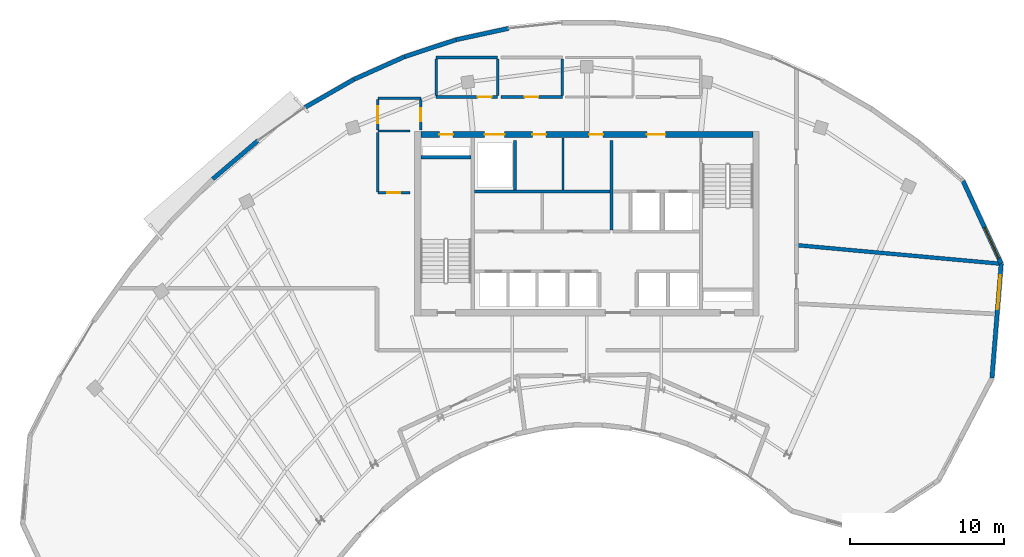
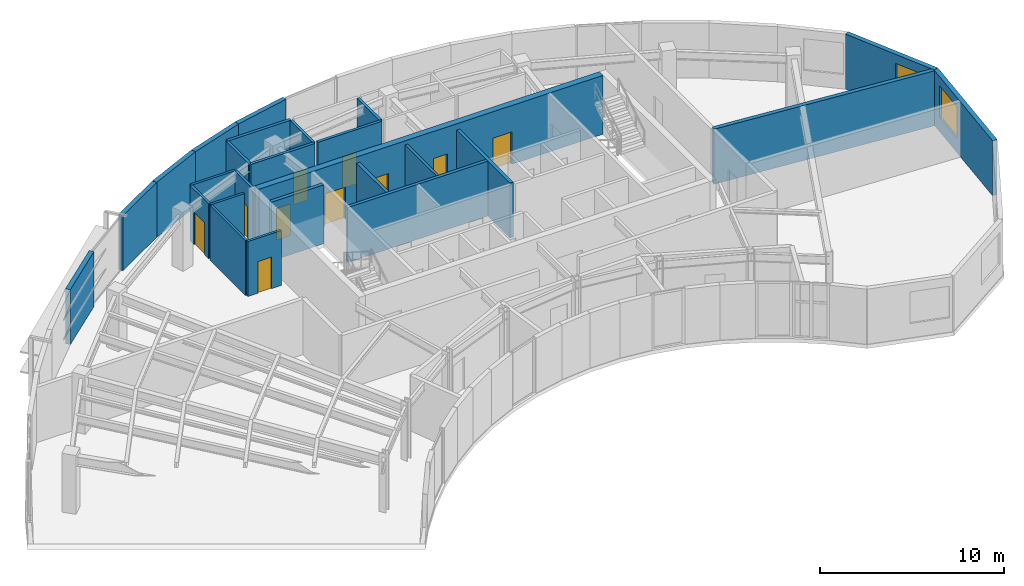
# One storey, part 10 of 12: 26 walls, 10 doors, 2 windows, 12 openings.
"""IFC4 building model written with IfcOpenShell, lengths in metres."""

from ifc_helpers import new_model, si_unit, direction, frame, frame_2d, origin, place, context, subcontext, project, spatial, rectangle, extrude, source, transform, mapped, material, layer, layer_set, type_object, type_shapes, element, fill, save


model = new_model("IFC4")

# Units and contexts
model_context = context("Model", 3, precision=1e-05, world=origin(), true_north=direction((0.0, 1.0)))
body_context = subcontext(model_context, "Body", "Model", "MODEL_VIEW")
ifc_project = project(units=[si_unit("LENGTHUNIT", "METRE"), si_unit("AREAUNIT", "SQUARE_METRE"), si_unit("VOLUMEUNIT", "CUBIC_METRE"), si_unit("PLANEANGLEUNIT", "RADIAN"), si_unit("MASSUNIT", "GRAM", prefix="KILO")], contexts=[model_context])

# Site, building, storey
site_placement = place(None, origin())
site = spatial("IfcSite", under=ifc_project, at=site_placement, CompositionType="ELEMENT")
building_placement = place(site_placement, origin())
building = spatial("IfcBuilding", under=site, at=building_placement, Name="Breltana Convention Tower", CompositionType="ELEMENT")
storey_placement = place(building_placement, frame((0.0, 0.0, 267.89990234375)))
storey = spatial("IfcBuildingStorey", under=building, at=storey_placement, Name="L65", CompositionType="ELEMENT", Elevation=267.89990234375)

# Wall
ifc_material_1 = material(Name="Concrete C50/60", Category="concrete")
ifc_layer_1 = layer(ifc_material_1, 0.39990234375, Name="Concrete C50/60")
ifc_layer_set_1 = layer_set([ifc_layer_1], Name="Concrete C50/60")
wall_type_1 = type_object("IfcWallType", Name="SW-CORE-400", PredefinedType="SHEAR", material=ifc_layer_set_1)
shared_shape_1 = source(origin(), body_context, "Body", "SweptSolid", [
    extrude(rectangle(XDim=3.27001953125, YDim=0.219970703125, at=frame_2d((1.635009765625, 0.0))), origin(), (0.0, 0.0, 1.0), 3.900146484375),
])
wall_1_placement = place(storey_placement, frame((37.199951171875, 70.510009765625, 0.0), z_axis=(0.0, 0.0, 1.0), x_axis=(1.0, 0.0, 0.0)))
element("IfcWall", 1, at=wall_1_placement, inside=storey, type_object=wall_type_1, Name="L65 ST-1 Stairwell North Bearing Wall", PredefinedType="SHEAR", context=body_context, shape_type="MappedRepresentation", body=[
    mapped(shared_shape_1, transform((0.0, 0.0, 0.0), scale=1.0)),
])

# Wall, openings, doors
shared_shape_2 = source(origin(), body_context, "Body", "SweptSolid", [
    extrude(rectangle(XDim=21.60009765625, YDim=0.39990234375, at=frame_2d((10.800048828125, 0.0))), origin(), (0.0, 0.0, 1.0), 3.900146484375),
])
wall_2_placement = place(storey_placement, frame((37.199951171875, 72.0, 0.0), z_axis=(0.0, 0.0, 1.0), x_axis=(1.0, 0.0, 0.0)))
wall_2 = element("IfcWall", 2, at=wall_2_placement, inside=storey, type_object=wall_type_1, Name="L65 North Core Shear Wall", PredefinedType="SHEAR", context=body_context, shape_type="MappedRepresentation", body=[
    mapped(shared_shape_2, transform((0.0, 0.0, 0.0), scale=1.0)),
])
opening_1_placement = place(wall_2_placement, frame((1.199951171875, 0.0, 0.0)))
opening_1 = element("IfcOpeningElement", 3, at=opening_1_placement, cuts=wall_2, Name="Opening D-18", PredefinedType="OPENING", context=body_context, shape_type="SweptSolid", body=[
    extrude(rectangle(XDim=0.89990234375, YDim=2.10009765625, at=frame_2d((0.449951171875, 1.050048828125))), frame((0.0, 0.2099609375, 0.0), z_axis=(0.0, -1.0, 0.0), x_axis=(1.0, 0.0, 0.0)), (0.0, 0.0, 1.0), 0.419921875),
])
opening_2_placement = place(wall_2_placement, frame((14.699951171875, 0.0, 0.0)))
opening_2 = element("IfcOpeningElement", 4, at=opening_2_placement, cuts=wall_2, Name="Opening D-09", PredefinedType="OPENING", context=body_context, shape_type="SweptSolid", body=[
    extrude(rectangle(XDim=1.199951171875, YDim=2.14990234375, at=frame_2d((0.60009765625, 1.074951171875))), frame((0.0, 0.2099609375, 0.0), z_axis=(0.0, -1.0, 0.0), x_axis=(1.0, 0.0, 0.0)), (0.0, 0.0, 1.0), 0.419921875),
])
opening_3_placement = place(wall_2_placement, frame((4.14990234375, 0.0, 0.0)))
opening_3 = element("IfcOpeningElement", 5, at=opening_3_placement, cuts=wall_2, Name="Opening LD-01", PredefinedType="OPENING", context=body_context, shape_type="SweptSolid", body=[
    extrude(rectangle(XDim=1.300048828125, YDim=2.14990234375, at=frame_2d((0.64990234375, 1.074951171875))), frame((0.0, 0.2099609375, 0.0), z_axis=(0.0, -1.0, 0.0), x_axis=(1.0, 0.0, 0.0)), (0.0, 0.0, 1.0), 0.419921875),
])
opening_4_placement = place(wall_2_placement, frame((7.25, 0.0, 0.0)))
opening_4 = element("IfcOpeningElement", 6, at=opening_4_placement, cuts=wall_2, Name="Opening D-18", PredefinedType="OPENING", context=body_context, shape_type="SweptSolid", body=[
    extrude(rectangle(XDim=0.89990234375, YDim=2.10009765625, at=frame_2d((0.449951171875, 1.050048828125))), frame((0.0, 0.2099609375, 0.0), z_axis=(0.0, -1.0, 0.0), x_axis=(1.0, 0.0, 0.0)), (0.0, 0.0, 1.0), 0.419921875),
])
opening_5_placement = place(wall_2_placement, frame((10.949951171875, 0.0, 0.0)))
opening_5 = element("IfcOpeningElement", 7, at=opening_5_placement, cuts=wall_2, Name="Opening D-18", PredefinedType="OPENING", context=body_context, shape_type="SweptSolid", body=[
    extrude(rectangle(XDim=0.89990234375, YDim=2.10009765625, at=frame_2d((0.449951171875, 1.050048828125))), frame((0.0, 0.2099609375, 0.0), z_axis=(0.0, -1.0, 0.0), x_axis=(1.0, 0.0, 0.0)), (0.0, 0.0, 1.0), 0.419921875),
])
ifc_material_2 = material(Name="Steel Riser Fire Door", Category="steel")
door_type_1 = type_object("IfcDoorType", Name="DR-FD60-900", OperationType="NOTDEFINED", PredefinedType="DOOR", material=ifc_material_2)
shared_shape_3 = source(origin(), body_context, "Body", "SweptSolid", [
    extrude(rectangle(XDim=0.89990234375, YDim=2.10009765625, at=frame_2d((0.449951171875, 1.050048828125))), frame((0.0, 0.02490234375, 0.0), z_axis=(0.0, -1.0, 0.0), x_axis=(1.0, 0.0, 0.0)), (0.0, 0.0, 1.0), 0.050048828125),
])
type_shapes(door_type_1, [shared_shape_3])
door_1_placement = place(opening_1_placement, origin())
door_1 = element("IfcDoor", 8, at=door_1_placement, inside=storey, type_object=door_type_1, Name="L65 Core Riser Access Door D-L65-RS1", OperationType="SINGLE_SWING_LEFT", OverallHeight=2.10009765625, OverallWidth=0.89990234375, PredefinedType="DOOR", context=body_context, shape_type="MappedRepresentation", body=[
    mapped(shared_shape_3, transform((0.0, 0.0, 0.0), scale=1.0)),
])
fill(opening_1, door_1)
door_2_placement = place(opening_4_placement, origin())
door_2 = element("IfcDoor", 9, at=door_2_placement, inside=storey, type_object=door_type_1, Name="L65 interior door D-L65-CRA1", OperationType="SINGLE_SWING_LEFT", OverallHeight=2.10009765625, OverallWidth=0.89990234375, PredefinedType="DOOR", context=body_context, shape_type="MappedRepresentation", body=[
    mapped(shared_shape_3, transform((0.0, 0.0, 0.0), scale=1.0)),
])
fill(opening_4, door_2)
door_3_placement = place(opening_5_placement, origin())
door_3 = element("IfcDoor", 10, at=door_3_placement, inside=storey, type_object=door_type_1, Name="L65 interior door D-L65-CRA2", OperationType="SINGLE_SWING_RIGHT", OverallHeight=2.10009765625, OverallWidth=0.89990234375, PredefinedType="DOOR", context=body_context, shape_type="MappedRepresentation", body=[
    mapped(shared_shape_3, transform((0.0, 0.0, 0.0), scale=1.0)),
])
fill(opening_5, door_3)
ifc_material_3 = material(Name="Steel Fire Lobby Door", Category="steel")
door_type_2 = type_object("IfcDoorType", Name="DR-FD120-1200", OperationType="NOTDEFINED", PredefinedType="DOOR", material=ifc_material_3)
shared_shape_4 = source(origin(), body_context, "Body", "SweptSolid", [
    extrude(rectangle(XDim=1.199951171875, YDim=2.14990234375, at=frame_2d((0.60009765625, 1.074951171875))), frame((0.0, 0.02490234375, 0.0), z_axis=(0.0, -1.0, 0.0), x_axis=(1.0, 0.0, 0.0)), (0.0, 0.0, 1.0), 0.050048828125),
])
type_shapes(door_type_2, [shared_shape_4])
door_4_placement = place(opening_2_placement, origin())
door_4 = element("IfcDoor", 11, at=door_4_placement, inside=storey, type_object=door_type_2, Name="L65 interior door D-L65-FFL-N", OperationType="SINGLE_SWING_RIGHT", OverallHeight=2.14990234375, OverallWidth=1.199951171875, PredefinedType="DOOR", context=body_context, shape_type="MappedRepresentation", body=[
    mapped(shared_shape_4, transform((0.0, 0.0, 0.0), scale=1.0)),
])
fill(opening_2, door_4)
ifc_material_4 = material(Name="Stainless Steel Brushed", Category="steel")
door_type_3 = type_object("IfcDoorType", Name="DR-LD-SRV-1300", OperationType="DOUBLE_DOOR_SLIDING", PredefinedType="DOOR", material=ifc_material_4)
shared_shape_5 = source(origin(), body_context, "Body", "SweptSolid", [
    extrude(rectangle(XDim=1.300048828125, YDim=2.14990234375, at=frame_2d((0.64990234375, 1.074951171875))), frame((0.0, 0.02490234375, 0.0), z_axis=(0.0, -1.0, 0.0), x_axis=(1.0, 0.0, 0.0)), (0.0, 0.0, 1.0), 0.050048828125),
])
type_shapes(door_type_3, [shared_shape_5])
door_5_placement = place(opening_3_placement, origin())
door_5 = element("IfcDoor", 12, at=door_5_placement, inside=storey, type_object=door_type_3, Name="L65 Lift Landing Door D-L65-LD-SV1", OperationType="DOUBLE_DOOR_SLIDING", OverallHeight=2.14990234375, OverallWidth=1.300048828125, PredefinedType="DOOR", context=body_context, shape_type="MappedRepresentation", body=[
    mapped(shared_shape_5, transform((0.0, 0.0, 0.0), scale=1.0)),
])
fill(opening_3, door_5)

# Wall, opening, window
ifc_material_5 = material(Name="Limestone Buff Insulated Wall", Category="masonry")
ifc_layer_2 = layer(ifc_material_5, 0.280029296875, Name="Limestone Buff Insulated Wall")
ifc_layer_set_2 = layer_set([ifc_layer_2], Name="Limestone Buff Insulated Wall")
wall_type_2 = type_object("IfcWallType", Name="WL-EXT-NOSE-280", PredefinedType="SOLIDWALL", material=ifc_layer_set_2)
shared_shape_6 = source(origin(), body_context, "Body", "SweptSolid", [
    extrude(rectangle(XDim=5.927978515625, YDim=0.280029296875, at=frame_2d((2.9638671875, 0.0))), origin(), (0.0, 0.0, 1.0), 3.650146484375),
])
wall_3_placement = place(storey_placement, frame((72.45947265625, 68.978759765625, 0.0), z_axis=(0.0, 0.0, 1.0), x_axis=(0.41942378221, -0.907790554543, 0.0)))
wall_3 = element("IfcWall", 13, at=wall_3_placement, inside=storey, type_object=wall_type_2, Name="L65 curved limestone nose wall E1", PredefinedType="SOLIDWALL", context=body_context, shape_type="MappedRepresentation", body=[
    mapped(shared_shape_6, transform((0.0, 0.0, 0.0), scale=1.0)),
])
opening_6_placement = place(wall_3_placement, frame((3.345947265625, 0.0, 0.949951171875)))
opening_6 = element("IfcOpeningElement", 14, at=opening_6_placement, cuts=wall_3, Name="Opening W-03", PredefinedType="OPENING", context=body_context, shape_type="SweptSolid", body=[
    extrude(rectangle(XDim=2.199951171875, YDim=2.10009765625, at=frame_2d((1.10009765625, 1.050048828125))), frame((0.0, 0.14990234375, 0.0), z_axis=(0.0, -1.0, 0.0), x_axis=(1.0, 0.0, 0.0)), (0.0, 0.0, 1.0), 0.300048828125),
])
ifc_material_6 = material(Name="Glass Low-E Insulated Window", Category="glass")
window_type = type_object("IfcWindowType", Name="WN-NOSE-2200X2100", PartitioningType="TRIPLE_PANEL_VERTICAL", PredefinedType="WINDOW", material=ifc_material_6)
shared_shape_7 = source(origin(), body_context, "Body", "SweptSolid", [
    extrude(rectangle(XDim=2.199951171875, YDim=2.10009765625, at=frame_2d((1.10009765625, 1.050048828125))), frame((0.0, 0.030029296875, 0.0), z_axis=(0.0, -1.0, 0.0), x_axis=(1.0, 0.0, 0.0)), (0.0, 0.0, 1.0), 0.06005859375),
])
type_shapes(window_type, [shared_shape_7])
window_1_placement = place(opening_6_placement, origin())
window_1 = element("IfcWindow", 15, at=window_1_placement, inside=storey, type_object=window_type, Name="L65 nose window E1", OverallHeight=2.10009765625, OverallWidth=2.199951171875, PartitioningType="TRIPLE_PANEL_VERTICAL", PredefinedType="WINDOW", context=body_context, shape_type="MappedRepresentation", body=[
    mapped(shared_shape_7, transform((0.0, 0.0, 0.0), scale=1.0)),
])
fill(opening_6, window_1)

shared_shape_8 = source(origin(), body_context, "Body", "SweptSolid", [
    extrude(rectangle(XDim=7.4658203125, YDim=0.280029296875, at=frame_2d((3.73291015625, 0.0))), origin(), (0.0, 0.0, 1.0), 3.650146484375),
])
wall_4_placement = place(storey_placement, frame((74.94580078125, 63.597412109375, 0.0), z_axis=(0.0, 0.0, 1.0), x_axis=(-0.080804454221, -0.996729973553, 0.0)))
wall_4 = element("IfcWall", 16, at=wall_4_placement, inside=storey, type_object=wall_type_2, Name="L65 curved limestone nose wall E2", PredefinedType="SOLIDWALL", context=body_context, shape_type="MappedRepresentation", body=[
    mapped(shared_shape_8, transform((0.0, 0.0, 0.0), scale=1.0)),
])
opening_7_placement = place(wall_4_placement, frame((0.7666015625, 0.0, 0.949951171875)))
opening_7 = element("IfcOpeningElement", 17, at=opening_7_placement, cuts=wall_4, Name="Opening W-03", PredefinedType="OPENING", context=body_context, shape_type="SweptSolid", body=[
    extrude(rectangle(XDim=2.199951171875, YDim=2.10009765625, at=frame_2d((1.10009765625, 1.050048828125))), frame((0.0, 0.14990234375, 0.0), z_axis=(0.0, -1.0, 0.0), x_axis=(1.0, 0.0, 0.0)), (0.0, 0.0, 1.0), 0.300048828125),
])
window_2_placement = place(opening_7_placement, origin())
window_2 = element("IfcWindow", 18, at=window_2_placement, inside=storey, type_object=window_type, Name="L65 nose window E2", OverallHeight=2.10009765625, OverallWidth=2.199951171875, PartitioningType="TRIPLE_PANEL_VERTICAL", PredefinedType="WINDOW", context=body_context, shape_type="MappedRepresentation", body=[
    mapped(shared_shape_7, transform((0.0, 0.0, 0.0), scale=1.0)),
])
fill(opening_7, window_2)

# Walls
shared_shape_9 = source(origin(), body_context, "Body", "SweptSolid", [
    extrude(rectangle(XDim=3.842529296875, YDim=0.280029296875, at=frame_2d((1.92138671875, 0.0))), origin(), (0.0, 0.0, 1.0), 3.650146484375),
])
wall_5_placement = place(storey_placement, frame((23.669677734375, 69.101318359375, 0.0), z_axis=(0.0, 0.0, 1.0), x_axis=(0.761508028279, 0.648155477387, 0.0)))
element("IfcWall", 19, at=wall_5_placement, inside=storey, type_object=wall_type_2, Name="L65 curved limestone nose wall E23", PredefinedType="SOLIDWALL", context=body_context, shape_type="MappedRepresentation", body=[
    mapped(shared_shape_9, transform((0.0, 0.0, 0.0), scale=1.0)),
])
shared_shape_10 = source(origin(), body_context, "Body", "SweptSolid", [
    extrude(rectangle(XDim=3.6708984375, YDim=0.280029296875, at=frame_2d((1.83544921875, 0.0))), origin(), (0.0, 0.0, 1.0), 3.650146484375),
])
wall_6_placement = place(storey_placement, frame((29.66162109375, 73.755615234375, 0.0), z_axis=(0.0, 0.0, 1.0), x_axis=(0.867931917784, 0.496683184829, 0.0)))
element("IfcWall", 20, at=wall_6_placement, inside=storey, type_object=wall_type_2, Name="L65 curved limestone nose wall E24", PredefinedType="SOLIDWALL", context=body_context, shape_type="MappedRepresentation", body=[
    mapped(shared_shape_10, transform((0.0, 0.0, 0.0), scale=1.0)),
])
shared_shape_11 = source(origin(), body_context, "Body", "SweptSolid", [
    extrude(rectangle(XDim=3.598876953125, YDim=0.280029296875, at=frame_2d((1.79931640625, 0.0))), origin(), (0.0, 0.0, 1.0), 3.650146484375),
])
wall_7_placement = place(storey_placement, frame((32.84765625, 75.578857421875, 0.0), z_axis=(0.0, 0.0, 1.0), x_axis=(0.912714407797, 0.40859810303, 0.0)))
element("IfcWall", 21, at=wall_7_placement, inside=storey, type_object=wall_type_2, Name="L65 curved limestone nose wall E25", PredefinedType="SOLIDWALL", context=body_context, shape_type="MappedRepresentation", body=[
    mapped(shared_shape_11, transform((0.0, 0.0, 0.0), scale=1.0)),
])
shared_shape_12 = source(origin(), body_context, "Body", "SweptSolid", [
    extrude(rectangle(XDim=3.540283203125, YDim=0.280029296875, at=frame_2d((1.77001953125, 0.0))), origin(), (0.0, 0.0, 1.0), 3.650146484375),
])
wall_8_placement = place(storey_placement, frame((36.13232421875, 77.04931640625, 0.0), z_axis=(0.0, 0.0, 1.0), x_axis=(0.949678507031, 0.313226329165, 0.0)))
element("IfcWall", 22, at=wall_8_placement, inside=storey, type_object=wall_type_2, Name="L65 curved limestone nose wall E26", PredefinedType="SOLIDWALL", context=body_context, shape_type="MappedRepresentation", body=[
    mapped(shared_shape_12, transform((0.0, 0.0, 0.0), scale=1.0)),
])
shared_shape_13 = source(origin(), body_context, "Body", "SweptSolid", [
    extrude(rectangle(XDim=3.49658203125, YDim=0.280029296875, at=frame_2d((1.748291015625, 0.0))), origin(), (0.0, 0.0, 1.0), 3.650146484375),
])
wall_9_placement = place(storey_placement, frame((39.494384765625, 78.158203125, 0.0), z_axis=(0.0, 0.0, 1.0), x_axis=(0.977379460136, 0.211493240802, 0.0)))
element("IfcWall", 23, at=wall_9_placement, inside=storey, type_object=wall_type_2, Name="L65 curved limestone nose wall E27", PredefinedType="SOLIDWALL", context=body_context, shape_type="MappedRepresentation", body=[
    mapped(shared_shape_13, transform((0.0, 0.0, 0.0), scale=1.0)),
])
ifc_material_7 = material(Name="Autoclaved Aerated Concrete Block", Category="concrete")
ifc_layer_3 = layer(ifc_material_7, 0.199951171875, Name="Autoclaved Aerated Concrete Block")
ifc_layer_set_3 = layer_set([ifc_layer_3], Name="Autoclaved Aerated Concrete Block")
wall_type_3 = type_object("IfcWallType", Name="WL-SHAFT-200", PredefinedType="SOLIDWALL", material=ifc_layer_set_3)
shared_shape_14 = source(origin(), body_context, "Body", "SweptSolid", [
    extrude(rectangle(XDim=5.800048828125, YDim=0.199951171875, at=frame_2d((2.89990234375, 0.0))), origin(), (0.0, 0.0, 1.0), 3.650146484375),
])
wall_10_placement = place(storey_placement, frame((49.60009765625, 65.800048828125, 0.0), z_axis=(0.0, 0.0, 1.0), x_axis=(0.0, 1.0, 0.0)))
element("IfcWall", 24, at=wall_10_placement, inside=storey, type_object=wall_type_3, Name="L65 interior partition W-L65-FFL-W", PredefinedType="SOLIDWALL", context=body_context, shape_type="MappedRepresentation", body=[
    mapped(shared_shape_14, transform((0.0, 0.0, 0.0), scale=1.0)),
])
shared_shape_15 = source(origin(), body_context, "Body", "SweptSolid", [
    extrude(rectangle(XDim=3.2001953125, YDim=0.199951171875, at=frame_2d((1.60009765625, 0.0))), origin(), (0.0, 0.0, 1.0), 3.650146484375),
])
wall_11_placement = place(storey_placement, frame((43.320068359375, 68.39990234375, 0.0), z_axis=(0.0, 0.0, 1.0), x_axis=(0.0, 1.0, 0.0)))
element("IfcWall", 25, at=wall_11_placement, inside=storey, type_object=wall_type_3, Name="L65 interior partition W-L65-SV-E", PredefinedType="SOLIDWALL", context=body_context, shape_type="MappedRepresentation", body=[
    mapped(shared_shape_15, transform((0.0, 0.0, 0.0), scale=1.0)),
])
shared_shape_16 = source(origin(), body_context, "Body", "SweptSolid", [
    extrude(rectangle(XDim=8.800048828125, YDim=0.199951171875, at=frame_2d((4.39990234375, 0.0))), origin(), (0.0, 0.0, 1.0), 3.650146484375),
])
wall_12_placement = place(storey_placement, frame((40.699951171875, 68.300048828125, 0.0), z_axis=(0.0, 0.0, 1.0), x_axis=(1.0, 0.0, 0.0)))
element("IfcWall", 26, at=wall_12_placement, inside=storey, type_object=wall_type_3, Name="L65 interior partition W-L65-SV-S", PredefinedType="SOLIDWALL", context=body_context, shape_type="MappedRepresentation", body=[
    mapped(shared_shape_16, transform((0.0, 0.0, 0.0), scale=1.0)),
])
ifc_material_8 = material(Name="Gypsum Acoustic Drywall Partition")
ifc_layer_4 = layer(ifc_material_8, 0.14990234375, Name="Gypsum Acoustic Drywall Partition")
ifc_layer_set_4 = layer_set([ifc_layer_4], Name="Gypsum Acoustic Drywall Partition")
wall_type_4 = type_object("IfcWallType", Name="WL-PART-150", PredefinedType="PARTITIONING", material=ifc_layer_set_4)
shared_shape_17 = source(origin(), body_context, "Body", "SweptSolid", [
    extrude(rectangle(XDim=2.10009765625, YDim=0.14990234375, at=frame_2d((1.050048828125, 0.0))), origin(), (0.0, 0.0, 1.0), 3.650146484375),
])
wall_13_placement = place(storey_placement, frame((34.39990234375, 72.219970703125, 0.0), z_axis=(0.0, 0.0, 1.0), x_axis=(1.0, 0.0, 0.0)))
element("IfcWall", 27, at=wall_13_placement, inside=storey, type_object=wall_type_4, Name="L65 interior partition W-L65-CRNW-S", PredefinedType="PARTITIONING", context=body_context, shape_type="MappedRepresentation", body=[
    mapped(shared_shape_17, transform((0.0, 0.0, 0.0), scale=1.0)),
])

# Wall, opening, door
wall_14_placement = place(storey_placement, frame((34.39990234375, 68.199951171875, 0.0), z_axis=(0.0, 0.0, 1.0), x_axis=(1.0, 0.0, 0.0)))
wall_14 = element("IfcWall", 28, at=wall_14_placement, inside=storey, type_object=wall_type_4, Name="L65 interior partition W-L65-CRSW-S", PredefinedType="PARTITIONING", context=body_context, shape_type="MappedRepresentation", body=[
    mapped(shared_shape_17, transform((0.0, 0.0, 0.0), scale=1.0)),
])
opening_8_placement = place(wall_14_placement, frame((0.625, 0.0, 0.0)))
opening_8 = element("IfcOpeningElement", 29, at=opening_8_placement, cuts=wall_14, Name="Opening D-20", PredefinedType="OPENING", context=body_context, shape_type="SweptSolid", body=[
    extrude(rectangle(XDim=0.85009765625, YDim=2.10009765625, at=frame_2d((0.425048828125, 1.050048828125))), frame((0.0, 0.0849609375, 0.0), z_axis=(0.0, -1.0, 0.0), x_axis=(1.0, 0.0, 0.0)), (0.0, 0.0, 1.0), 0.169921875),
])
ifc_material_9 = material(Name="Steel Closet Fire Door", Category="steel")
door_type_4 = type_object("IfcDoorType", Name="DR-FD60-850", OperationType="NOTDEFINED", PredefinedType="DOOR", material=ifc_material_9)
shared_shape_18 = source(origin(), body_context, "Body", "SweptSolid", [
    extrude(rectangle(XDim=0.85009765625, YDim=2.10009765625, at=frame_2d((0.425048828125, 1.050048828125))), frame((0.0, 0.02490234375, 0.0), z_axis=(0.0, -1.0, 0.0), x_axis=(1.0, 0.0, 0.0)), (0.0, 0.0, 1.0), 0.050048828125),
])
type_shapes(door_type_4, [shared_shape_18])
door_6_placement = place(opening_8_placement, origin())
door_6 = element("IfcDoor", 30, at=door_6_placement, inside=storey, type_object=door_type_4, Name="L65 interior door D-L65-CRSW", OperationType="SINGLE_SWING_RIGHT", OverallHeight=2.10009765625, OverallWidth=0.85009765625, PredefinedType="DOOR", context=body_context, shape_type="MappedRepresentation", body=[
    mapped(shared_shape_18, transform((0.0, 0.0, 0.0), scale=1.0)),
])
fill(opening_8, door_6)

# Wall
shared_shape_19 = source(origin(), body_context, "Body", "SweptSolid", [
    extrude(rectangle(XDim=2.800048828125, YDim=0.14990234375, at=frame_2d((1.39990234375, 0.0))), origin(), (0.0, 0.0, 1.0), 3.650146484375),
])
wall_15_placement = place(storey_placement, frame((34.39990234375, 74.35009765625, 0.0), z_axis=(0.0, 0.0, 1.0), x_axis=(1.0, 0.0, 0.0)))
element("IfcWall", 31, at=wall_15_placement, inside=storey, type_object=wall_type_4, Name="L65 interior partition W-L65-CRNW-N", PredefinedType="PARTITIONING", context=body_context, shape_type="MappedRepresentation", body=[
    mapped(shared_shape_19, transform((0.0, 0.0, 0.0), scale=1.0)),
])

# Wall, opening, door
shared_shape_20 = source(origin(), body_context, "Body", "SweptSolid", [
    extrude(rectangle(XDim=1.994873046875, YDim=0.14990234375, at=frame_2d((0.99755859375, 0.0))), origin(), (0.0, 0.0, 1.0), 3.650146484375),
])
wall_16_placement = place(storey_placement, frame((34.39990234375, 72.28759765625, 0.0), z_axis=(0.0, 0.0, 1.0), x_axis=(0.0, 1.0, 0.0)))
wall_16 = element("IfcWall", 32, at=wall_16_placement, inside=storey, type_object=wall_type_4, Name="L65 interior partition W-L65-CRNW-W", PredefinedType="PARTITIONING", context=body_context, shape_type="MappedRepresentation", body=[
    mapped(shared_shape_20, transform((0.0, 0.0, 0.0), scale=1.0)),
])
opening_9_placement = place(wall_16_placement, frame((0.447509765625, 0.0, 0.0)))
opening_9 = element("IfcOpeningElement", 33, at=opening_9_placement, cuts=wall_16, Name="Opening D-12", PredefinedType="OPENING", context=body_context, shape_type="SweptSolid", body=[
    extrude(rectangle(XDim=1.10009765625, YDim=2.14990234375, at=frame_2d((0.550048828125, 1.074951171875))), frame((0.0, 0.0849609375, 0.0), z_axis=(0.0, -1.0, 0.0), x_axis=(1.0, 0.0, 0.0)), (0.0, 0.0, 1.0), 0.169921875),
])
ifc_material_10 = material(Name="Timber Oak Acoustic Door", Category="wood")
door_type_5 = type_object("IfcDoorType", Name="DR-INT-1100", OperationType="NOTDEFINED", PredefinedType="DOOR", material=ifc_material_10)
shared_shape_21 = source(origin(), body_context, "Body", "SweptSolid", [
    extrude(rectangle(XDim=1.10009765625, YDim=2.14990234375, at=frame_2d((0.550048828125, 1.074951171875))), frame((0.0, 0.02490234375, 0.0), z_axis=(0.0, -1.0, 0.0), x_axis=(1.0, 0.0, 0.0)), (0.0, 0.0, 1.0), 0.050048828125),
])
type_shapes(door_type_5, [shared_shape_21])
door_7_placement = place(opening_9_placement, origin())
door_7 = element("IfcDoor", 34, at=door_7_placement, inside=storey, type_object=door_type_5, Name="L65 interior door D-L65-EXW2", OperationType="SINGLE_SWING_LEFT", OverallHeight=2.14990234375, OverallWidth=1.10009765625, PredefinedType="DOOR", context=body_context, shape_type="MappedRepresentation", body=[
    mapped(shared_shape_21, transform((0.0, 0.0, 0.0), scale=1.0)),
])
fill(opening_9, door_7)

shared_shape_22 = source(origin(), body_context, "Body", "SweptSolid", [
    extrude(rectangle(XDim=1.982421875, YDim=0.14990234375, at=frame_2d((0.9912109375, 0.0))), origin(), (0.0, 0.0, 1.0), 3.650146484375),
])
wall_17_placement = place(storey_placement, frame((37.199951171875, 72.300048828125, 0.0), z_axis=(0.0, 0.0, 1.0), x_axis=(0.0, 1.0, 0.0)))
wall_17 = element("IfcWall", 35, at=wall_17_placement, inside=storey, type_object=wall_type_4, Name="L65 interior partition W-L65-CRNW-E", PredefinedType="PARTITIONING", context=body_context, shape_type="MappedRepresentation", body=[
    mapped(shared_shape_22, transform((0.0, 0.0, 0.0), scale=1.0)),
])
opening_10_placement = place(wall_17_placement, frame((0.56640625, 0.0, 0.0)))
opening_10 = element("IfcOpeningElement", 36, at=opening_10_placement, cuts=wall_17, Name="Opening D-20", PredefinedType="OPENING", context=body_context, shape_type="SweptSolid", body=[
    extrude(rectangle(XDim=0.85009765625, YDim=2.10009765625, at=frame_2d((0.425048828125, 1.050048828125))), frame((0.0, 0.0849609375, 0.0), z_axis=(0.0, -1.0, 0.0), x_axis=(1.0, 0.0, 0.0)), (0.0, 0.0, 1.0), 0.169921875),
])
door_8_placement = place(opening_10_placement, origin())
door_8 = element("IfcDoor", 37, at=door_8_placement, inside=storey, type_object=door_type_4, Name="L65 interior door D-L65-CRNW", OperationType="SINGLE_SWING_LEFT", OverallHeight=2.10009765625, OverallWidth=0.85009765625, PredefinedType="DOOR", context=body_context, shape_type="MappedRepresentation", body=[
    mapped(shared_shape_18, transform((0.0, 0.0, 0.0), scale=1.0)),
])
fill(opening_10, door_8)

# Wall
shared_shape_23 = source(origin(), body_context, "Body", "SweptSolid", [
    extrude(rectangle(XDim=3.844970703125, YDim=0.14990234375, at=frame_2d((1.92236328125, 0.0))), origin(), (0.0, 0.0, 1.0), 3.650146484375),
])
wall_18_placement = place(storey_placement, frame((34.39990234375, 68.267578125, 0.0), z_axis=(0.0, 0.0, 1.0), x_axis=(0.0, 1.0, 0.0)))
element("IfcWall", 38, at=wall_18_placement, inside=storey, type_object=wall_type_4, Name="L65 interior partition W-L65-CRSW-W", PredefinedType="PARTITIONING", context=body_context, shape_type="MappedRepresentation", body=[
    mapped(shared_shape_23, transform((0.0, 0.0, 0.0), scale=1.0)),
])

# Wall, opening, door
ifc_material_11 = material(Name="Cement Board Wet-Area Partition")
ifc_layer_5 = layer(ifc_material_11, 0.175048828125, Name="Cement Board Wet-Area Partition")
ifc_layer_set_5 = layer_set([ifc_layer_5], Name="Cement Board Wet-Area Partition")
wall_type_5 = type_object("IfcWallType", Name="WL-WET-175", PredefinedType="PARTITIONING", material=ifc_layer_set_5)
shared_shape_24 = source(origin(), body_context, "Body", "SweptSolid", [
    extrude(rectangle(XDim=4.0, YDim=0.175048828125, at=frame_2d((2.0, 0.0))), origin(), (0.0, 0.0, 1.0), 3.650146484375),
])
wall_19_placement = place(storey_placement, frame((38.199951171875, 74.43994140625, 0.0), z_axis=(0.0, 0.0, 1.0), x_axis=(1.0, 0.0, 0.0)))
wall_19 = element("IfcWall", 39, at=wall_19_placement, inside=storey, type_object=wall_type_5, Name="L65 interior partition W-L65-WCM-S", PredefinedType="PARTITIONING", context=body_context, shape_type="MappedRepresentation", body=[
    mapped(shared_shape_24, transform((0.0, 0.0, 0.0), scale=1.0)),
])
opening_11_placement = place(wall_19_placement, frame((2.699951171875, 0.0, 0.0)))
opening_11 = element("IfcOpeningElement", 40, at=opening_11_placement, cuts=wall_19, Name="Opening D-19", PredefinedType="OPENING", context=body_context, shape_type="SweptSolid", body=[
    extrude(rectangle(XDim=0.89990234375, YDim=2.080078125, at=frame_2d((0.449951171875, 1.0400390625))), frame((0.0, 0.09765625, 0.0), z_axis=(0.0, -1.0, 0.0), x_axis=(1.0, 0.0, 0.0)), (0.0, 0.0, 1.0), 0.195068359375),
])
ifc_material_12 = material(Name="Timber Moisture-Resistant Door", Category="wood")
door_type_6 = type_object("IfcDoorType", Name="DR-WC-900", OperationType="NOTDEFINED", PredefinedType="DOOR", material=ifc_material_12)
shared_shape_25 = source(origin(), body_context, "Body", "SweptSolid", [
    extrude(rectangle(XDim=0.89990234375, YDim=2.080078125, at=frame_2d((0.449951171875, 1.0400390625))), frame((0.0, 0.02490234375, 0.0), z_axis=(0.0, -1.0, 0.0), x_axis=(1.0, 0.0, 0.0)), (0.0, 0.0, 1.0), 0.050048828125),
])
type_shapes(door_type_6, [shared_shape_25])
door_9_placement = place(opening_11_placement, origin())
door_9 = element("IfcDoor", 41, at=door_9_placement, inside=storey, type_object=door_type_6, Name="L65 interior door D-L65-WCM", OperationType="SINGLE_SWING_LEFT", OverallHeight=2.080078125, OverallWidth=0.89990234375, PredefinedType="DOOR", context=body_context, shape_type="MappedRepresentation", body=[
    mapped(shared_shape_25, transform((0.0, 0.0, 0.0), scale=1.0)),
])
fill(opening_11, door_9)

wall_20_placement = place(storey_placement, frame((42.39990234375, 74.43994140625, 0.0), z_axis=(0.0, 0.0, 1.0), x_axis=(1.0, 0.0, 0.0)))
wall_20 = element("IfcWall", 42, at=wall_20_placement, inside=storey, type_object=wall_type_5, Name="L65 interior partition W-L65-WCF-S", PredefinedType="PARTITIONING", context=body_context, shape_type="MappedRepresentation", body=[
    mapped(shared_shape_24, transform((0.0, 0.0, 0.0), scale=1.0)),
])
opening_12_placement = place(wall_20_placement, frame((1.550048828125, 0.0, 0.0)))
opening_12 = element("IfcOpeningElement", 43, at=opening_12_placement, cuts=wall_20, Name="Opening D-19", PredefinedType="OPENING", context=body_context, shape_type="SweptSolid", body=[
    extrude(rectangle(XDim=0.89990234375, YDim=2.080078125, at=frame_2d((0.449951171875, 1.0400390625))), frame((0.0, 0.09765625, 0.0), z_axis=(0.0, -1.0, 0.0), x_axis=(1.0, 0.0, 0.0)), (0.0, 0.0, 1.0), 0.195068359375),
])
door_10_placement = place(opening_12_placement, origin())
door_10 = element("IfcDoor", 44, at=door_10_placement, inside=storey, type_object=door_type_6, Name="L65 interior door D-L65-WCF", OperationType="SINGLE_SWING_RIGHT", OverallHeight=2.080078125, OverallWidth=0.89990234375, PredefinedType="DOOR", context=body_context, shape_type="MappedRepresentation", body=[
    mapped(shared_shape_25, transform((0.0, 0.0, 0.0), scale=1.0)),
])
fill(opening_12, door_10)

# Walls
ifc_material_13 = material(Name="Moisture-Resistant Gypsum Chase Wall")
ifc_layer_6 = layer(ifc_material_13, 0.179931640625, Name="Moisture-Resistant Gypsum Chase Wall")
ifc_layer_set_6 = layer_set([ifc_layer_6], Name="Moisture-Resistant Gypsum Chase Wall")
wall_type_6 = type_object("IfcWallType", Name="WL-PLUMB-180", PredefinedType="PLUMBINGWALL", material=ifc_layer_set_6)
shared_shape_26 = source(origin(), body_context, "Body", "SweptSolid", [
    extrude(rectangle(XDim=4.0, YDim=0.179931640625, at=frame_2d((2.0, 0.0))), origin(), (0.0, 0.0, 1.0), 3.650146484375),
])
wall_21_placement = place(storey_placement, frame((38.199951171875, 77.0, 0.0), z_axis=(0.0, 0.0, 1.0), x_axis=(1.0, 0.0, 0.0)))
element("IfcWall", 45, at=wall_21_placement, inside=storey, type_object=wall_type_6, Name="L65 interior partition W-L65-WCM-N", PredefinedType="PLUMBINGWALL", context=body_context, shape_type="MappedRepresentation", body=[
    mapped(shared_shape_26, transform((0.0, 0.0, 0.0), scale=1.0)),
])
shared_shape_27 = source(origin(), body_context, "Body", "SweptSolid", [
    extrude(rectangle(XDim=2.402587890625, YDim=0.175048828125, at=frame_2d((1.201171875, 0.0))), origin(), (0.0, 0.0, 1.0), 3.650146484375),
])
for number, where, z_axis, x_axis, name in (
    (46, (38.199951171875, 74.518798828125, 0.0), (0.0, 0.0, 1.0), (0.0, 1.0, 0.0), "L65 interior partition W-L65-WCM-W"),
    (47, (42.199951171875, 74.518798828125, 0.0), (0.0, 0.0, 1.0), (0.0, 1.0, 0.0), "L65 interior partition W-L65-WCM-E"),
    (48, (46.39990234375, 74.518798828125, 0.0), (0.0, 0.0, 1.0), (0.0, 1.0, 0.0), "L65 interior partition W-L65-WCF-E"),
):
    element("IfcWall", number, at=place(storey_placement, frame(where, z_axis=z_axis, x_axis=x_axis)), inside=storey, type_object=wall_type_5, Name=name, PredefinedType="PARTITIONING", context=body_context, shape_type="MappedRepresentation", body=[
        mapped(shared_shape_27, transform((0.0, 0.0, 0.0), scale=1.0)),
    ])
shared_shape_28 = source(origin(), body_context, "Body", "SweptSolid", [
    extrude(rectangle(XDim=3.380126953125, YDim=0.14990234375, at=frame_2d((1.68994140625, 0.0))), origin(), (0.0, 0.0, 1.0), 3.650146484375),
])
wall_22_placement = place(storey_placement, frame((46.449951171875, 68.39990234375, 0.0), z_axis=(0.0, 0.0, 1.0), x_axis=(0.0, 1.0, 0.0)))
element("IfcWall", 49, at=wall_22_placement, inside=storey, type_object=wall_type_4, Name="L65 interior partition W-L65-KV-1", PredefinedType="PARTITIONING", context=body_context, shape_type="MappedRepresentation", body=[
    mapped(shared_shape_28, transform((0.0, 0.0, 0.0), scale=1.0)),
])
ifc_material_14 = material(Name="Gypsum Acoustic Double Stud Wall")
ifc_layer_7 = layer(ifc_material_14, 0.25, Name="Gypsum Acoustic Double Stud Wall")
ifc_layer_set_7 = layer_set([ifc_layer_7], Name="Gypsum Acoustic Double Stud Wall")
wall_type_7 = type_object("IfcWallType", Name="WL-ACOUSTIC-250", PredefinedType="PARTITIONING", material=ifc_layer_set_7)
shared_shape_29 = source(origin(), body_context, "Body", "SweptSolid", [
    extrude(rectangle(XDim=13.227783203125, YDim=0.25, at=frame_2d((6.61376953125, 0.0))), origin(), (0.0, 0.0, 1.0), 3.650146484375),
])
wall_23_placement = place(storey_placement, frame((61.639892578125, 64.800048828125, 0.0), z_axis=(0.0, 0.0, 1.0), x_axis=(0.995868510157, -0.090806995755, 0.0)))
element("IfcWall", 50, at=wall_23_placement, inside=storey, type_object=wall_type_7, Name="L65 interior partition W-L65-EXE2-N", PredefinedType="PARTITIONING", context=body_context, shape_type="MappedRepresentation", body=[
    mapped(shared_shape_29, transform((0.0, 0.0, 0.0), scale=1.0)),
])

save(model, "model.ifc")
